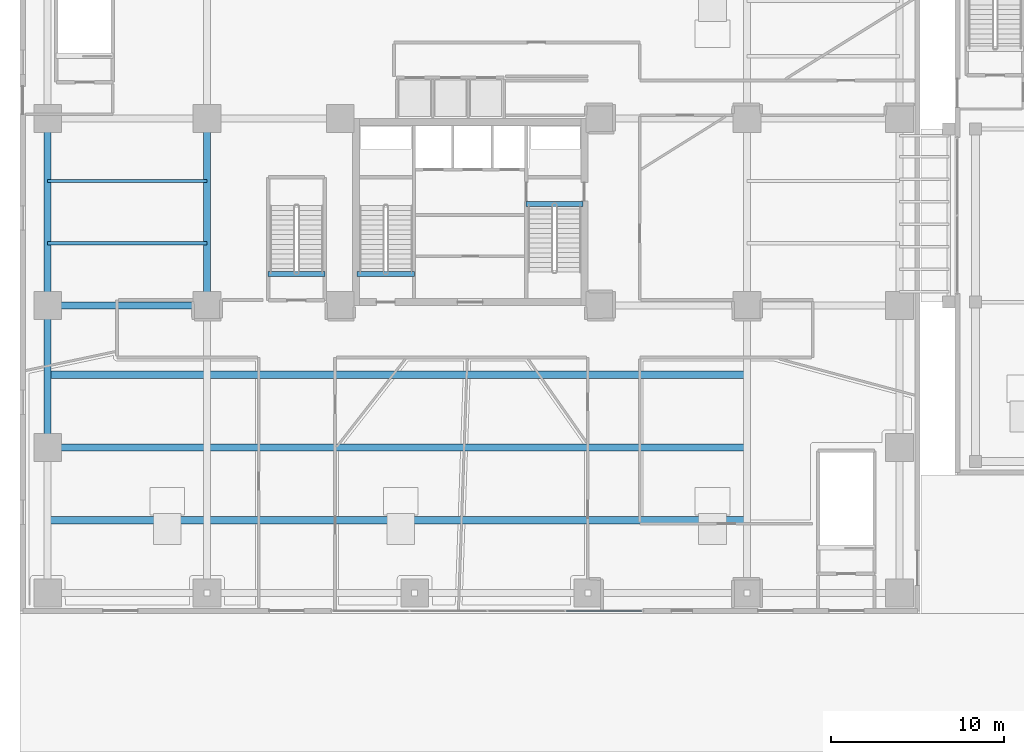
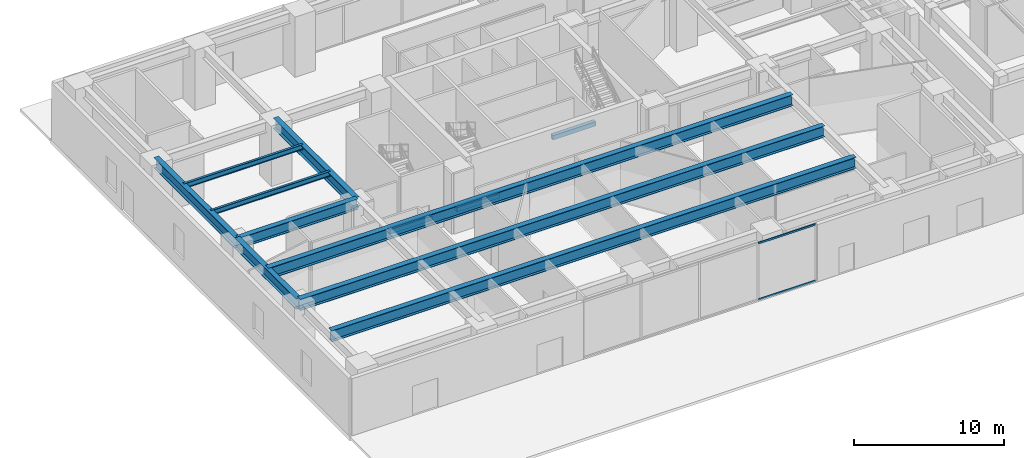
# One storey, part 4 of 28: 12 beams, 2 members, 1 element without a shape of its own.
"""IFC4 building model written with IfcOpenShell, lengths in metres."""

from ifc_helpers import new_model, si_unit, direction, frame, origin, origin_2d, place, context, subcontext, project, spatial, rectangle, hollow_rectangle, i_section, extrude, source, transform, mapped, material, layer, layer_set, material_profile, profile_set, type_object, type_shapes, element, aggregate, save


model = new_model("IFC4")

# Units and contexts
model_context = context("Model", 3, precision=1e-05, world=origin(), true_north=direction((0.0, 1.0)))
body_context = subcontext(model_context, "Body", "Model", "MODEL_VIEW")
ifc_project = project(units=[si_unit("LENGTHUNIT", "METRE"), si_unit("AREAUNIT", "SQUARE_METRE"), si_unit("VOLUMEUNIT", "CUBIC_METRE"), si_unit("PLANEANGLEUNIT", "RADIAN"), si_unit("MASSUNIT", "GRAM", prefix="KILO")], contexts=[model_context])

# Site, building, storey
site_placement = place(None, origin())
site = spatial("IfcSite", under=ifc_project, at=site_placement, CompositionType="ELEMENT")
building_placement = place(site_placement, origin())
building = spatial("IfcBuilding", under=site, at=building_placement, Name="Talar Marvaseh", CompositionType="ELEMENT")
storey_placement = place(building_placement, origin())
storey = spatial("IfcBuildingStorey", under=building, at=storey_placement, Name="L00", CompositionType="ELEMENT", Elevation=0.0)

# Beams
ifc_material_1 = material(Name="Steel S460", Category="steel")
ifc_material_profile_1 = material_profile(ifc_material_1, i_section(OverallWidth=0.41796875, OverallDepth=0.912109375, WebThickness=0.019287109375, FlangeThickness=0.031982421875, at=origin_2d()), Name="W920x342")
ifc_profile_set_1 = profile_set([ifc_material_profile_1], Name="Steel S460")
beam_type_1 = type_object("IfcBeamType", Name="Auditorium Long-Span Girder W920x342", PredefinedType="BEAM", material=ifc_profile_set_1)
for number, where, z_axis, x_axis, name in (
    (1, (1.60009765625, 13.39990234375, 4.444091796875), (1.0, 0.0, 0.0), (0.0, 1.0, 0.0), "L00 Auditorium Long-Span Girder W920x342"),
    (2, (1.60009765625, 17.60009765625, 4.444091796875), (1.0, 0.0, 0.0), (0.0, 1.0, 0.0), "L00 Auditorium Long-Span Girder W920x342"),
    (3, (1.60009765625, 21.800048828125, 4.444091796875), (1.0, 0.0, 0.0), (0.0, 1.0, 0.0), "L00 Auditorium Long-Span Girder W920x342"),
):
    element("IfcBeam", number, at=place(storey_placement, frame(where, z_axis=z_axis, x_axis=x_axis)), inside=storey, type_object=beam_type_1, Name=name, PredefinedType="BEAM", context=body_context, shape_type="SweptSolid", body=[
        extrude(i_section(OverallWidth=0.41796875, OverallDepth=0.912109375, WebThickness=0.019287109375, FlangeThickness=0.031982421875, at=origin_2d()), origin(), (0.0, 0.0, 1.0), 40.39990234375),
    ])
ifc_material_2 = material(Name="Steel S355", Category="steel")
ifc_material_profile_2 = material_profile(ifc_material_2, i_section(OverallWidth=0.39990234375, OverallDepth=0.85498046875, WebThickness=0.018310546875, FlangeThickness=0.029296875, at=origin_2d()), Name="W840x299")
ifc_profile_set_2 = profile_set([ifc_material_profile_2], Name="Steel S355")
beam_type_2 = type_object("IfcBeamType", Name="Concourse Primary Girder W840x299", PredefinedType="BEAM", material=ifc_profile_set_2)
beam_1_placement = place(storey_placement, frame((1.60009765625, 25.800048828125, 4.472412109375), z_axis=(1.0, 0.0, 0.0), x_axis=(0.0, 1.0, 0.0)))
element("IfcBeam", 4, at=beam_1_placement, inside=storey, type_object=beam_type_2, Name="L00 Concourse Primary Girder W840x299", PredefinedType="BEAM", context=body_context, shape_type="SweptSolid", body=[
    extrude(i_section(OverallWidth=0.39990234375, OverallDepth=0.85498046875, WebThickness=0.018310546875, FlangeThickness=0.029296875, at=origin_2d()), origin(), (0.0, 0.0, 1.0), 9.199951171875),
])
beam_2_placement = place(storey_placement, frame((1.60009765625, 17.60009765625, 4.472412109375), z_axis=(0.0, 1.0, 0.0), x_axis=(-1.0, 0.0, 0.0)))
element("IfcBeam", 5, at=beam_2_placement, inside=storey, type_object=beam_type_2, Name="L00 Concourse Primary Girder W840x299", PredefinedType="BEAM", context=body_context, shape_type="SweptSolid", body=[
    extrude(i_section(OverallWidth=0.39990234375, OverallDepth=0.85498046875, WebThickness=0.018310546875, FlangeThickness=0.029296875, at=origin_2d()), origin(), (0.0, 0.0, 1.0), 8.199951171875),
])
for number, where, z_axis, x_axis, name in (
    (6, (1.60009765625, 25.800048828125, 4.472412109375), (0.0, 1.0, 0.0), (-1.0, 0.0, 0.0), "L00 Concourse Primary Girder W840x299"),
    (7, (10.800048828125, 25.800048828125, 4.472412109375), (0.0, 1.0, 0.0), (-1.0, 0.0, 0.0), "L00 Concourse Primary Girder W840x299"),
):
    element("IfcBeam", number, at=place(storey_placement, frame(where, z_axis=z_axis, x_axis=x_axis)), inside=storey, type_object=beam_type_2, Name=name, PredefinedType="BEAM", context=body_context, shape_type="SweptSolid", body=[
        extrude(i_section(OverallWidth=0.39990234375, OverallDepth=0.85498046875, WebThickness=0.018310546875, FlangeThickness=0.029296875, at=origin_2d()), origin(), (0.0, 0.0, 1.0), 10.800048828125),
    ])
ifc_material_3 = material(Name="Concrete C40/50", Category="concrete")
ifc_material_profile_3 = material_profile(ifc_material_3, rectangle(XDim=0.300048828125, YDim=0.360107421875, at=origin_2d()), Name="RC300x360")
ifc_profile_set_3 = profile_set([ifc_material_profile_3], Name="Concrete C40/50")
beam_type_3 = type_object("IfcBeamType", Name="Concrete Stair Landing Trimmer Beam RC300x360", PredefinedType="SPANDREL", material=ifc_profile_set_3)
for number, where, z_axis, x_axis, name in (
    (8, (22.780029296875, 27.6298828125, -0.179931640625), (-1.0, 0.0, 0.0), (0.0, -1.0, 0.0), "L00 ST-1 Stair Nosing Trimmer Beam"),
    (9, (29.219970703125, 31.669921875, -0.179931640625), (1.0, 0.0, 0.0), (0.0, 1.0, 0.0), "L00 ST-2 Stair Nosing Trimmer Beam"),
    (10, (17.6201171875, 27.6298828125, -0.179931640625), (-1.0, 0.0, 0.0), (0.0, -1.0, 0.0), "L00 ST-3 Stair Nosing Trimmer Beam"),
):
    element("IfcBeam", number, at=place(storey_placement, frame(where, z_axis=z_axis, x_axis=x_axis)), inside=storey, type_object=beam_type_3, Name=name, PredefinedType="SPANDREL", context=body_context, shape_type="SweptSolid", body=[
        extrude(rectangle(XDim=0.300048828125, YDim=0.360107421875, at=origin_2d()), origin(), (0.0, 0.0, 1.0), 3.300048828125),
    ])
ifc_material_profile_4 = material_profile(ifc_material_2, i_section(OverallWidth=0.179931640625, OverallDepth=0.4130859375, WebThickness=0.009765625, FlangeThickness=0.01611328125, at=origin_2d()), Name="W410x75")
ifc_profile_set_4 = profile_set([ifc_material_profile_4], Name="Steel S355")
beam_type_4 = type_object("IfcBeamType", Name="Zone 1 Secondary Floor Joist W410x75", PredefinedType="JOIST", material=ifc_profile_set_4)
for number, where, z_axis, x_axis, name in (
    (11, (1.60009765625, 29.39990234375, 4.693603515625), (1.0, 0.0, 0.0), (0.0, 1.0, 0.0), "L00 Zone 1 Secondary Floor Joist W410x75"),
    (12, (1.60009765625, 33.0, 4.693603515625), (1.0, 0.0, 0.0), (0.0, 1.0, 0.0), "L00 Zone 1 Secondary Floor Joist W410x75"),
):
    element("IfcBeam", number, at=place(storey_placement, frame(where, z_axis=z_axis, x_axis=x_axis)), inside=storey, type_object=beam_type_4, Name=name, PredefinedType="JOIST", context=body_context, shape_type="SweptSolid", body=[
        extrude(i_section(OverallWidth=0.179931640625, OverallDepth=0.4130859375, WebThickness=0.009765625, FlangeThickness=0.01611328125, at=origin_2d()), origin(), (0.0, 0.0, 1.0), 9.199951171875),
    ])

# Curtain wall, members
ifc_material_4 = material(Name="Architectural Aluminium", Category="aluminium")
ifc_layer = layer(ifc_material_4, 0.25)
ifc_layer_set = layer_set([ifc_layer], Name="Architectural Aluminium")
curtain_wall_type = type_object("IfcCurtainWallType", Name="Station Podium Monumental Iwan Curtain Wall", PredefinedType="NOTDEFINED", material=ifc_layer_set)
curtain_wall_placement = place(storey_placement, origin())
curtain_wall = element("IfcCurtainWall", 13, at=curtain_wall_placement, inside=storey, type_object=curtain_wall_type, Name="L00 Station Podium Monumental Iwan Curtain Wall", PredefinedType="NOTDEFINED")
ifc_material_profile_5 = material_profile(ifc_material_4, hollow_rectangle(XDim=0.06494140625, YDim=0.14990234375, WallThickness=0.00390625, at=origin_2d()), Name="RHS150x65x4")
ifc_profile_set_5 = profile_set([ifc_material_profile_5], Name="Architectural Aluminium")
member_type = type_object("IfcMemberType", Name="Unitised Curtain Wall Slim Transom RHS150x65x4", PredefinedType="USERDEFINED", material=ifc_profile_set_5)
shared_shape = source(origin(), body_context, "Body", "SweptSolid", [
    extrude(hollow_rectangle(XDim=0.06494140625, YDim=0.14990234375, WallThickness=0.00390625, at=origin_2d()), origin(), (0.0, 0.0, 1.0), 4.402587890625),
])
type_shapes(member_type, [shared_shape])
member_1_placement = place(storey_placement, frame((35.93505859375, 8.159912109375, 0.032470703125), z_axis=(-1.0, 0.0, 0.0), x_axis=(0.0, -1.0, 0.0)))
member_1 = element("IfcMember", 14, at=member_1_placement, type_object=member_type, Name="CW-POD transom 1.1", ObjectType="TRANSOM", PredefinedType="USERDEFINED", context=body_context, shape_type="MappedRepresentation", body=[
    mapped(shared_shape, transform((0.0, 0.0, 0.0), x_axis=(1.0, 0.0, 0.0), y_axis=(0.0, 1.0, 0.0), z_axis=(0.0, 0.0, 1.0), scale=1.0)),
])
member_2_placement = place(storey_placement, frame((35.93505859375, 8.159912109375, 4.617431640625), z_axis=(-1.0, 0.0, 0.0), x_axis=(0.0, -1.0, 0.0)))
member_2 = element("IfcMember", 15, at=member_2_placement, type_object=member_type, Name="CW-POD transom 1.2", ObjectType="TRANSOM", PredefinedType="USERDEFINED", context=body_context, shape_type="MappedRepresentation", body=[
    mapped(shared_shape, transform((0.0, 0.0, 0.0), x_axis=(1.0, 0.0, 0.0), y_axis=(0.0, 1.0, 0.0), z_axis=(0.0, 0.0, 1.0), scale=1.0)),
])
aggregate(curtain_wall, [member_1, member_2])

save(model, "model.ifc")
